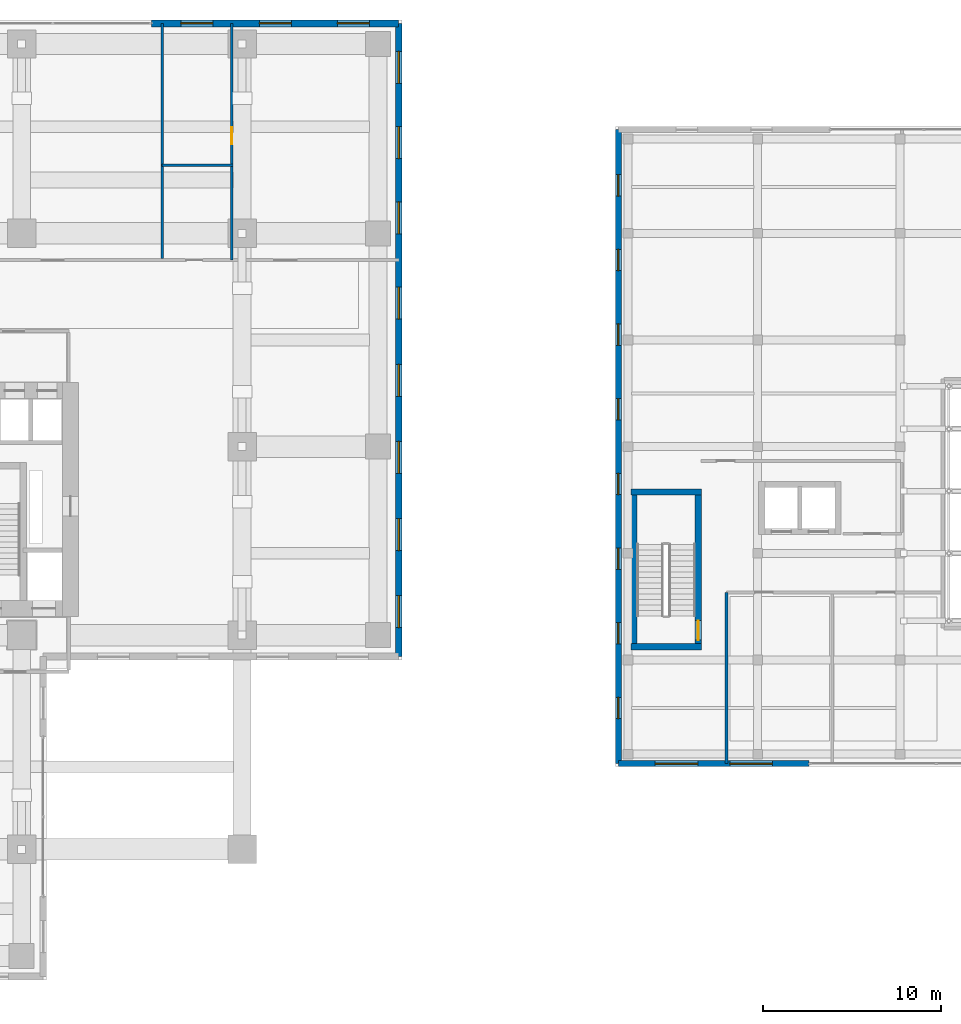
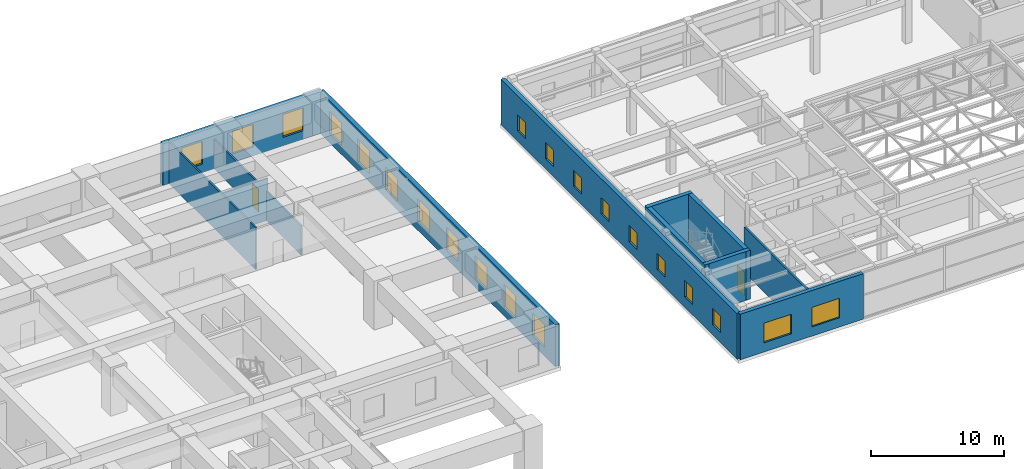
# One storey, part 27 of 33: 21 windows, 13 walls, 2 doors, 23 openings.
"""IFC4 building model written with IfcOpenShell, lengths in metres."""

from ifc_helpers import new_model, si_unit, direction, frame, frame_2d, origin, place, context, subcontext, project, spatial, rectangle, extrude, source, transform, mapped, material, layer, layer_set, type_object, element, fill, save


model = new_model("IFC4")

# Units and contexts
model_context = context("Model", 3, precision=1e-05, world=origin(), true_north=direction((0.0, 1.0)))
body_context = subcontext(model_context, "Body", "Model", "MODEL_VIEW")
ifc_project = project(units=[si_unit("LENGTHUNIT", "METRE"), si_unit("AREAUNIT", "SQUARE_METRE"), si_unit("VOLUMEUNIT", "CUBIC_METRE"), si_unit("PLANEANGLEUNIT", "RADIAN"), si_unit("MASSUNIT", "GRAM", prefix="KILO")], contexts=[model_context])

# Site, building, storey
site_placement = place(None, origin())
site = spatial("IfcSite", under=ifc_project, at=site_placement, CompositionType="ELEMENT")
building_placement = place(site_placement, origin())
building = spatial("IfcBuilding", under=site, at=building_placement, Name="Khoralis Quay Care Tower", CompositionType="ELEMENT")
storey_placement = place(building_placement, frame((0.0, 0.0, 18.0)))
storey = spatial("IfcBuildingStorey", under=building, at=storey_placement, Name="L04", CompositionType="ELEMENT", Elevation=18.0)

# Wall
ifc_material_1 = material(Name="Gypsum plasterboard on acoustic metal stud")
ifc_layer_1 = layer(ifc_material_1, 0.1650390625)
ifc_layer_set_1 = layer_set([ifc_layer_1], Name="Gypsum plasterboard on acoustic metal stud")
wall_type_1 = type_object("IfcWallType", Name="WL-CORR-165", PredefinedType="PARTITIONING", material=ifc_layer_set_1)
wall_1_placement = place(storey_placement, frame((74.25, 6.18505859375, 0.0), z_axis=(0.0, 0.0, 1.0), x_axis=(0.0, 1.0, 0.0)))
element("IfcWall", 1, at=wall_1_placement, inside=storey, type_object=wall_type_1, Name="L04 School Stair Vestibule East Wall", PredefinedType="PARTITIONING", context=body_context, shape_type="SweptSolid", body=[
    extrude(rectangle(XDim=9.614990234375, YDim=0.1650390625, at=frame_2d((4.8076171875, 0.0))), origin(), (0.0, 0.0, 1.0), 4.18994140625),
])

# Wall, openings, windows
ifc_material_2 = material(Name="Precast concrete C45/55", Category="concrete")
ifc_layer_2 = layer(ifc_material_2, 0.3798828125)
ifc_layer_set_2 = layer_set([ifc_layer_2], Name="Precast concrete C45/55")
wall_type_2 = type_object("IfcWallType", Name="WL-EXT-POD-380", PredefinedType="SOLIDWALL", material=ifc_layer_set_2)
wall_2_placement = place(storey_placement, frame((55.81005859375, 12.18994140625, 0.0), z_axis=(0.0, 0.0, 1.0), x_axis=(0.0, 1.0, 0.0)))
wall_2 = element("IfcWall", 2, at=wall_2_placement, inside=storey, type_object=wall_type_2, Name="L04 External Facade Wall WL-POD-L04-E3", PredefinedType="SOLIDWALL", context=body_context, shape_type="SweptSolid", body=[
    extrude(rectangle(XDim=35.6201171875, YDim=0.3798828125, at=frame_2d((17.81005859375, 0.0))), origin(), (0.0, 0.0, 1.0), 3.85009765625),
])
opening_1_placement = place(wall_2_placement, frame((1.62890625, 0.0, 0.800048828125)))
opening_1 = element("IfcOpeningElement", 3, at=opening_1_placement, cuts=wall_2, Name="Opening W2", PredefinedType="OPENING", context=body_context, shape_type="SweptSolid", body=[
    extrude(rectangle(XDim=1.800048828125, YDim=2.10009765625, at=frame_2d((0.89990234375, 1.050048828125))), frame((0.0, 0.199951171875, 0.0), z_axis=(0.0, -1.0, 0.0), x_axis=(1.0, 0.0, 0.0)), (0.0, 0.0, 1.0), 0.39990234375),
])
opening_2_placement = place(wall_2_placement, frame((5.967041015625, 0.0, 0.800048828125)))
opening_2 = element("IfcOpeningElement", 4, at=opening_2_placement, cuts=wall_2, Name="Opening W2", PredefinedType="OPENING", context=body_context, shape_type="SweptSolid", body=[
    extrude(rectangle(XDim=1.800048828125, YDim=2.10009765625, at=frame_2d((0.89990234375, 1.050048828125))), frame((0.0, 0.199951171875, 0.0), z_axis=(0.0, -1.0, 0.0), x_axis=(1.0, 0.0, 0.0)), (0.0, 0.0, 1.0), 0.39990234375),
])
opening_3_placement = place(wall_2_placement, frame((10.304931640625, 0.0, 0.800048828125)))
opening_3 = element("IfcOpeningElement", 5, at=opening_3_placement, cuts=wall_2, Name="Opening W2", PredefinedType="OPENING", context=body_context, shape_type="SweptSolid", body=[
    extrude(rectangle(XDim=1.800048828125, YDim=2.10009765625, at=frame_2d((0.89990234375, 1.050048828125))), frame((0.0, 0.199951171875, 0.0), z_axis=(0.0, -1.0, 0.0), x_axis=(1.0, 0.0, 0.0)), (0.0, 0.0, 1.0), 0.39990234375),
])
opening_4_placement = place(wall_2_placement, frame((14.64306640625, 0.0, 0.800048828125)))
opening_4 = element("IfcOpeningElement", 6, at=opening_4_placement, cuts=wall_2, Name="Opening W2", PredefinedType="OPENING", context=body_context, shape_type="SweptSolid", body=[
    extrude(rectangle(XDim=1.800048828125, YDim=2.10009765625, at=frame_2d((0.89990234375, 1.050048828125))), frame((0.0, 0.199951171875, 0.0), z_axis=(0.0, -1.0, 0.0), x_axis=(1.0, 0.0, 0.0)), (0.0, 0.0, 1.0), 0.39990234375),
])
opening_5_placement = place(wall_2_placement, frame((18.98095703125, 0.0, 0.800048828125)))
opening_5 = element("IfcOpeningElement", 7, at=opening_5_placement, cuts=wall_2, Name="Opening W2", PredefinedType="OPENING", context=body_context, shape_type="SweptSolid", body=[
    extrude(rectangle(XDim=1.800048828125, YDim=2.10009765625, at=frame_2d((0.89990234375, 1.050048828125))), frame((0.0, 0.199951171875, 0.0), z_axis=(0.0, -1.0, 0.0), x_axis=(1.0, 0.0, 0.0)), (0.0, 0.0, 1.0), 0.39990234375),
])
opening_6_placement = place(wall_2_placement, frame((23.784912109375, 0.0, 0.800048828125)))
opening_6 = element("IfcOpeningElement", 8, at=opening_6_placement, cuts=wall_2, Name="Opening W2", PredefinedType="OPENING", context=body_context, shape_type="SweptSolid", body=[
    extrude(rectangle(XDim=1.800048828125, YDim=2.10009765625, at=frame_2d((0.89990234375, 1.050048828125))), frame((0.0, 0.199951171875, 0.0), z_axis=(0.0, -1.0, 0.0), x_axis=(1.0, 0.0, 0.0)), (0.0, 0.0, 1.0), 0.39990234375),
])
opening_7_placement = place(wall_2_placement, frame((28.014892578125, 0.0, 0.800048828125)))
opening_7 = element("IfcOpeningElement", 9, at=opening_7_placement, cuts=wall_2, Name="Opening W2", PredefinedType="OPENING", context=body_context, shape_type="SweptSolid", body=[
    extrude(rectangle(XDim=1.800048828125, YDim=2.10009765625, at=frame_2d((0.89990234375, 1.050048828125))), frame((0.0, 0.199951171875, 0.0), z_axis=(0.0, -1.0, 0.0), x_axis=(1.0, 0.0, 0.0)), (0.0, 0.0, 1.0), 0.39990234375),
])
opening_8_placement = place(wall_2_placement, frame((32.2451171875, 0.0, 0.800048828125)))
opening_8 = element("IfcOpeningElement", 10, at=opening_8_placement, cuts=wall_2, Name="Opening W2", PredefinedType="OPENING", context=body_context, shape_type="SweptSolid", body=[
    extrude(rectangle(XDim=1.800048828125, YDim=2.10009765625, at=frame_2d((0.89990234375, 1.050048828125))), frame((0.0, 0.199951171875, 0.0), z_axis=(0.0, -1.0, 0.0), x_axis=(1.0, 0.0, 0.0)), (0.0, 0.0, 1.0), 0.39990234375),
])
ifc_material_3 = material(Name="Low-E solar-control double glazing", Category="glass")
window_type_1 = type_object("IfcWindowType", Name="WN-POD-1800X2100", PartitioningType="SINGLE_PANEL", PredefinedType="WINDOW", material=ifc_material_3)
shared_shape_1 = source(origin(), body_context, "Body", "SweptSolid", [
    extrude(rectangle(XDim=1.800048828125, YDim=2.10009765625, at=frame_2d((0.89990234375, 1.050048828125))), frame((0.0, 0.030029296875, 0.0), z_axis=(0.0, -1.0, 0.0), x_axis=(1.0, 0.0, 0.0)), (0.0, 0.0, 1.0), 0.06005859375),
])
window_1_placement = place(opening_1_placement, origin())
window_1 = element("IfcWindow", 11, at=window_1_placement, inside=storey, type_object=window_type_1, Name="WN-POD-L04-E3 Facade Window 01", OverallHeight=2.10009765625, OverallWidth=1.800048828125, PartitioningType="SINGLE_PANEL", PredefinedType="WINDOW", context=body_context, shape_type="MappedRepresentation", body=[
    mapped(shared_shape_1, transform((0.0, 0.0, 0.0), scale=1.0)),
])
fill(opening_1, window_1)
window_2_placement = place(opening_2_placement, origin())
window_2 = element("IfcWindow", 12, at=window_2_placement, inside=storey, type_object=window_type_1, Name="WN-POD-L04-E3 Facade Window 02", OverallHeight=2.10009765625, OverallWidth=1.800048828125, PartitioningType="SINGLE_PANEL", PredefinedType="WINDOW", context=body_context, shape_type="MappedRepresentation", body=[
    mapped(shared_shape_1, transform((0.0, 0.0, 0.0), scale=1.0)),
])
fill(opening_2, window_2)
window_3_placement = place(opening_3_placement, origin())
window_3 = element("IfcWindow", 13, at=window_3_placement, inside=storey, type_object=window_type_1, Name="WN-POD-L04-E3 Facade Window 03", OverallHeight=2.10009765625, OverallWidth=1.800048828125, PartitioningType="SINGLE_PANEL", PredefinedType="WINDOW", context=body_context, shape_type="MappedRepresentation", body=[
    mapped(shared_shape_1, transform((0.0, 0.0, 0.0), scale=1.0)),
])
fill(opening_3, window_3)
window_4_placement = place(opening_4_placement, origin())
window_4 = element("IfcWindow", 14, at=window_4_placement, inside=storey, type_object=window_type_1, Name="WN-POD-L04-E3 Facade Window 04", OverallHeight=2.10009765625, OverallWidth=1.800048828125, PartitioningType="SINGLE_PANEL", PredefinedType="WINDOW", context=body_context, shape_type="MappedRepresentation", body=[
    mapped(shared_shape_1, transform((0.0, 0.0, 0.0), scale=1.0)),
])
fill(opening_4, window_4)
window_5_placement = place(opening_5_placement, origin())
window_5 = element("IfcWindow", 15, at=window_5_placement, inside=storey, type_object=window_type_1, Name="WN-POD-L04-E3 Facade Window 05", OverallHeight=2.10009765625, OverallWidth=1.800048828125, PartitioningType="SINGLE_PANEL", PredefinedType="WINDOW", context=body_context, shape_type="MappedRepresentation", body=[
    mapped(shared_shape_1, transform((0.0, 0.0, 0.0), scale=1.0)),
])
fill(opening_5, window_5)
window_6_placement = place(opening_6_placement, origin())
window_6 = element("IfcWindow", 16, at=window_6_placement, inside=storey, type_object=window_type_1, Name="WN-POD-L04-E3 Facade Window 06", OverallHeight=2.10009765625, OverallWidth=1.800048828125, PartitioningType="SINGLE_PANEL", PredefinedType="WINDOW", context=body_context, shape_type="MappedRepresentation", body=[
    mapped(shared_shape_1, transform((0.0, 0.0, 0.0), scale=1.0)),
])
fill(opening_6, window_6)
window_7_placement = place(opening_7_placement, origin())
window_7 = element("IfcWindow", 17, at=window_7_placement, inside=storey, type_object=window_type_1, Name="WN-POD-L04-E3 Facade Window 07", OverallHeight=2.10009765625, OverallWidth=1.800048828125, PartitioningType="SINGLE_PANEL", PredefinedType="WINDOW", context=body_context, shape_type="MappedRepresentation", body=[
    mapped(shared_shape_1, transform((0.0, 0.0, 0.0), scale=1.0)),
])
fill(opening_7, window_7)
window_8_placement = place(opening_8_placement, origin())
window_8 = element("IfcWindow", 18, at=window_8_placement, inside=storey, type_object=window_type_1, Name="WN-POD-L04-E3 Facade Window 08", OverallHeight=2.10009765625, OverallWidth=1.800048828125, PartitioningType="SINGLE_PANEL", PredefinedType="WINDOW", context=body_context, shape_type="MappedRepresentation", body=[
    mapped(shared_shape_1, transform((0.0, 0.0, 0.0), scale=1.0)),
])
fill(opening_8, window_8)

wall_3_placement = place(storey_placement, frame((55.81005859375, 47.81005859375, 0.0), z_axis=(0.0, 0.0, 1.0), x_axis=(-1.0, 0.0, 0.0)))
wall_3 = element("IfcWall", 19, at=wall_3_placement, inside=storey, type_object=wall_type_2, Name="L04 External Facade Wall WL-POD-L04-E4A", PredefinedType="SOLIDWALL", context=body_context, shape_type="SweptSolid", body=[
    extrude(rectangle(XDim=13.905029296875, YDim=0.3798828125, at=frame_2d((6.95263671875, 0.0))), origin(), (0.0, 0.0, 1.0), 3.85009765625),
])
opening_9_placement = place(wall_3_placement, frame((1.652587890625, 0.0, 0.800048828125)))
opening_9 = element("IfcOpeningElement", 20, at=opening_9_placement, cuts=wall_3, Name="Opening W2", PredefinedType="OPENING", context=body_context, shape_type="SweptSolid", body=[
    extrude(rectangle(XDim=1.800048828125, YDim=2.10009765625, at=frame_2d((0.89990234375, 1.050048828125))), frame((0.0, 0.199951171875, 0.0), z_axis=(0.0, -1.0, 0.0), x_axis=(1.0, 0.0, 0.0)), (0.0, 0.0, 1.0), 0.39990234375),
])
opening_10_placement = place(wall_3_placement, frame((6.03759765625, 0.0, 0.800048828125)))
opening_10 = element("IfcOpeningElement", 21, at=opening_10_placement, cuts=wall_3, Name="Opening W2", PredefinedType="OPENING", context=body_context, shape_type="SweptSolid", body=[
    extrude(rectangle(XDim=1.800048828125, YDim=2.10009765625, at=frame_2d((0.89990234375, 1.050048828125))), frame((0.0, 0.199951171875, 0.0), z_axis=(0.0, -1.0, 0.0), x_axis=(1.0, 0.0, 0.0)), (0.0, 0.0, 1.0), 0.39990234375),
])
opening_11_placement = place(wall_3_placement, frame((10.449951171875, 0.0, 0.800048828125)))
opening_11 = element("IfcOpeningElement", 22, at=opening_11_placement, cuts=wall_3, Name="Opening W2", PredefinedType="OPENING", context=body_context, shape_type="SweptSolid", body=[
    extrude(rectangle(XDim=1.800048828125, YDim=2.10009765625, at=frame_2d((0.89990234375, 1.050048828125))), frame((0.0, 0.199951171875, 0.0), z_axis=(0.0, -1.0, 0.0), x_axis=(1.0, 0.0, 0.0)), (0.0, 0.0, 1.0), 0.39990234375),
])
window_9_placement = place(opening_9_placement, origin())
window_9 = element("IfcWindow", 23, at=window_9_placement, inside=storey, type_object=window_type_1, Name="WN-POD-L04-4A Facade Window 01", OverallHeight=2.10009765625, OverallWidth=1.800048828125, PartitioningType="SINGLE_PANEL", PredefinedType="WINDOW", context=body_context, shape_type="MappedRepresentation", body=[
    mapped(shared_shape_1, transform((0.0, 0.0, 0.0), scale=1.0)),
])
fill(opening_9, window_9)
window_10_placement = place(opening_10_placement, origin())
window_10 = element("IfcWindow", 24, at=window_10_placement, inside=storey, type_object=window_type_1, Name="WN-POD-L04-4A Facade Window 02", OverallHeight=2.10009765625, OverallWidth=1.800048828125, PartitioningType="SINGLE_PANEL", PredefinedType="WINDOW", context=body_context, shape_type="MappedRepresentation", body=[
    mapped(shared_shape_1, transform((0.0, 0.0, 0.0), scale=1.0)),
])
fill(opening_10, window_10)
window_11_placement = place(opening_11_placement, origin())
window_11 = element("IfcWindow", 25, at=window_11_placement, inside=storey, type_object=window_type_1, Name="WN-POD-L04-4A Facade Window 03", OverallHeight=2.10009765625, OverallWidth=1.800048828125, PartitioningType="SINGLE_PANEL", PredefinedType="WINDOW", context=body_context, shape_type="MappedRepresentation", body=[
    mapped(shared_shape_1, transform((0.0, 0.0, 0.0), scale=1.0)),
])
fill(opening_11, window_11)

ifc_material_4 = material(Name="Precast concrete C40/50", Category="concrete")
ifc_layer_3 = layer(ifc_material_4, 0.340087890625)
ifc_layer_set_3 = layer_set([ifc_layer_3], Name="Precast concrete C40/50")
wall_type_3 = type_object("IfcWallType", Name="WL-EXT-SCH-340", PredefinedType="SOLIDWALL", material=ifc_layer_set_3)
wall_4_placement = place(storey_placement, frame((68.169921875, 6.169921875, 0.0), z_axis=(0.0, 0.0, 1.0), x_axis=(1.0, 0.0, 0.0)))
wall_4 = element("IfcWall", 26, at=wall_4_placement, inside=storey, type_object=wall_type_3, Name="L04 External Facade Wall WL-SCH-L04-E0A", PredefinedType="SOLIDWALL", context=body_context, shape_type="SweptSolid", body=[
    extrude(rectangle(XDim=10.72802734375, YDim=0.340087890625, at=frame_2d((5.364013671875, 0.0))), origin(), (0.0, 0.0, 1.0), 4.199951171875),
])
opening_12_placement = place(wall_4_placement, frame((2.06396484375, 0.0, 0.85009765625)))
opening_12 = element("IfcOpeningElement", 27, at=opening_12_placement, cuts=wall_4, Name="Opening W4", PredefinedType="OPENING", context=body_context, shape_type="SweptSolid", body=[
    extrude(rectangle(XDim=2.39990234375, YDim=1.800048828125, at=frame_2d((1.199951171875, 0.89990234375))), frame((0.0, 0.18017578125, 0.0), z_axis=(0.0, -1.0, 0.0), x_axis=(1.0, 0.0, 0.0)), (0.0, 0.0, 1.0), 0.360107421875),
])
opening_13_placement = place(wall_4_placement, frame((6.263916015625, 0.0, 0.85009765625)))
opening_13 = element("IfcOpeningElement", 28, at=opening_13_placement, cuts=wall_4, Name="Opening W4", PredefinedType="OPENING", context=body_context, shape_type="SweptSolid", body=[
    extrude(rectangle(XDim=2.39990234375, YDim=1.800048828125, at=frame_2d((1.199951171875, 0.89990234375))), frame((0.0, 0.18017578125, 0.0), z_axis=(0.0, -1.0, 0.0), x_axis=(1.0, 0.0, 0.0)), (0.0, 0.0, 1.0), 0.360107421875),
])
window_type_2 = type_object("IfcWindowType", Name="WN-SCH-2400X1800", PartitioningType="SINGLE_PANEL", PredefinedType="WINDOW", material=ifc_material_3)
shared_shape_2 = source(origin(), body_context, "Body", "SweptSolid", [
    extrude(rectangle(XDim=2.39990234375, YDim=1.800048828125, at=frame_2d((1.199951171875, 0.89990234375))), frame((0.0, 0.030029296875, 0.0), z_axis=(0.0, -1.0, 0.0), x_axis=(1.0, 0.0, 0.0)), (0.0, 0.0, 1.0), 0.06005859375),
])
window_12_placement = place(opening_12_placement, origin())
window_12 = element("IfcWindow", 29, at=window_12_placement, inside=storey, type_object=window_type_2, Name="WN-SCH-L04-0A Classroom Window 01", OverallHeight=1.800048828125, OverallWidth=2.39990234375, PartitioningType="SINGLE_PANEL", PredefinedType="WINDOW", context=body_context, shape_type="MappedRepresentation", body=[
    mapped(shared_shape_2, transform((0.0, 0.0, 0.0), scale=1.0)),
])
fill(opening_12, window_12)
window_13_placement = place(opening_13_placement, origin())
window_13 = element("IfcWindow", 30, at=window_13_placement, inside=storey, type_object=window_type_2, Name="WN-SCH-L04-0A Classroom Window 02", OverallHeight=1.800048828125, OverallWidth=2.39990234375, PartitioningType="SINGLE_PANEL", PredefinedType="WINDOW", context=body_context, shape_type="MappedRepresentation", body=[
    mapped(shared_shape_2, transform((0.0, 0.0, 0.0), scale=1.0)),
])
fill(opening_13, window_13)

wall_5_placement = place(storey_placement, frame((68.169921875, 41.830078125, 0.0), z_axis=(0.0, 0.0, 1.0), x_axis=(0.0, -1.0, 0.0)))
wall_5 = element("IfcWall", 31, at=wall_5_placement, inside=storey, type_object=wall_type_3, Name="L04 External Facade Wall WL-SCH-L04-E4", PredefinedType="SOLIDWALL", context=body_context, shape_type="SweptSolid", body=[
    extrude(rectangle(XDim=35.66015625, YDim=0.340087890625, at=frame_2d((17.830078125, 0.0))), origin(), (0.0, 0.0, 1.0), 4.199951171875),
])
opening_14_placement = place(wall_5_placement, frame((2.530029296875, 0.0, 0.949951171875)))
opening_14 = element("IfcOpeningElement", 32, at=opening_14_placement, cuts=wall_5, Name="Opening W6", PredefinedType="OPENING", context=body_context, shape_type="SweptSolid", body=[
    extrude(rectangle(XDim=1.199951171875, YDim=1.5, at=frame_2d((0.60009765625, 0.75))), frame((0.0, 0.18017578125, 0.0), z_axis=(0.0, -1.0, 0.0), x_axis=(1.0, 0.0, 0.0)), (0.0, 0.0, 1.0), 0.360107421875),
])
opening_15_placement = place(wall_5_placement, frame((6.72998046875, 0.0, 0.949951171875)))
opening_15 = element("IfcOpeningElement", 33, at=opening_15_placement, cuts=wall_5, Name="Opening W6", PredefinedType="OPENING", context=body_context, shape_type="SweptSolid", body=[
    extrude(rectangle(XDim=1.199951171875, YDim=1.5, at=frame_2d((0.60009765625, 0.75))), frame((0.0, 0.18017578125, 0.0), z_axis=(0.0, -1.0, 0.0), x_axis=(1.0, 0.0, 0.0)), (0.0, 0.0, 1.0), 0.360107421875),
])
opening_16_placement = place(wall_5_placement, frame((10.929931640625, 0.0, 0.949951171875)))
opening_16 = element("IfcOpeningElement", 34, at=opening_16_placement, cuts=wall_5, Name="Opening W6", PredefinedType="OPENING", context=body_context, shape_type="SweptSolid", body=[
    extrude(rectangle(XDim=1.199951171875, YDim=1.5, at=frame_2d((0.60009765625, 0.75))), frame((0.0, 0.18017578125, 0.0), z_axis=(0.0, -1.0, 0.0), x_axis=(1.0, 0.0, 0.0)), (0.0, 0.0, 1.0), 0.360107421875),
])
opening_17_placement = place(wall_5_placement, frame((15.1298828125, 0.0, 0.949951171875)))
opening_17 = element("IfcOpeningElement", 35, at=opening_17_placement, cuts=wall_5, Name="Opening W6", PredefinedType="OPENING", context=body_context, shape_type="SweptSolid", body=[
    extrude(rectangle(XDim=1.199951171875, YDim=1.5, at=frame_2d((0.60009765625, 0.75))), frame((0.0, 0.18017578125, 0.0), z_axis=(0.0, -1.0, 0.0), x_axis=(1.0, 0.0, 0.0)), (0.0, 0.0, 1.0), 0.360107421875),
])
opening_18_placement = place(wall_5_placement, frame((19.330078125, 0.0, 0.949951171875)))
opening_18 = element("IfcOpeningElement", 36, at=opening_18_placement, cuts=wall_5, Name="Opening W6", PredefinedType="OPENING", context=body_context, shape_type="SweptSolid", body=[
    extrude(rectangle(XDim=1.199951171875, YDim=1.5, at=frame_2d((0.60009765625, 0.75))), frame((0.0, 0.18017578125, 0.0), z_axis=(0.0, -1.0, 0.0), x_axis=(1.0, 0.0, 0.0)), (0.0, 0.0, 1.0), 0.360107421875),
])
opening_19_placement = place(wall_5_placement, frame((23.530029296875, 0.0, 0.949951171875)))
opening_19 = element("IfcOpeningElement", 37, at=opening_19_placement, cuts=wall_5, Name="Opening W6", PredefinedType="OPENING", context=body_context, shape_type="SweptSolid", body=[
    extrude(rectangle(XDim=1.199951171875, YDim=1.5, at=frame_2d((0.60009765625, 0.75))), frame((0.0, 0.18017578125, 0.0), z_axis=(0.0, -1.0, 0.0), x_axis=(1.0, 0.0, 0.0)), (0.0, 0.0, 1.0), 0.360107421875),
])
opening_20_placement = place(wall_5_placement, frame((27.72998046875, 0.0, 0.949951171875)))
opening_20 = element("IfcOpeningElement", 38, at=opening_20_placement, cuts=wall_5, Name="Opening W6", PredefinedType="OPENING", context=body_context, shape_type="SweptSolid", body=[
    extrude(rectangle(XDim=1.199951171875, YDim=1.5, at=frame_2d((0.60009765625, 0.75))), frame((0.0, 0.18017578125, 0.0), z_axis=(0.0, -1.0, 0.0), x_axis=(1.0, 0.0, 0.0)), (0.0, 0.0, 1.0), 0.360107421875),
])
opening_21_placement = place(wall_5_placement, frame((31.929931640625, 0.0, 0.949951171875)))
opening_21 = element("IfcOpeningElement", 39, at=opening_21_placement, cuts=wall_5, Name="Opening W6", PredefinedType="OPENING", context=body_context, shape_type="SweptSolid", body=[
    extrude(rectangle(XDim=1.199951171875, YDim=1.5, at=frame_2d((0.60009765625, 0.75))), frame((0.0, 0.18017578125, 0.0), z_axis=(0.0, -1.0, 0.0), x_axis=(1.0, 0.0, 0.0)), (0.0, 0.0, 1.0), 0.360107421875),
])
window_type_3 = type_object("IfcWindowType", Name="WN-SCH-1200X1500", PartitioningType="SINGLE_PANEL", PredefinedType="WINDOW", material=ifc_material_3)
shared_shape_3 = source(origin(), body_context, "Body", "SweptSolid", [
    extrude(rectangle(XDim=1.199951171875, YDim=1.5, at=frame_2d((0.60009765625, 0.75))), frame((0.0, 0.030029296875, 0.0), z_axis=(0.0, -1.0, 0.0), x_axis=(1.0, 0.0, 0.0)), (0.0, 0.0, 1.0), 0.06005859375),
])
window_14_placement = place(opening_14_placement, origin())
window_14 = element("IfcWindow", 40, at=window_14_placement, inside=storey, type_object=window_type_3, Name="WN-SCH-L04-E4 Classroom Window 01", OverallHeight=1.5, OverallWidth=1.199951171875, PartitioningType="SINGLE_PANEL", PredefinedType="WINDOW", context=body_context, shape_type="MappedRepresentation", body=[
    mapped(shared_shape_3, transform((0.0, 0.0, 0.0), scale=1.0)),
])
fill(opening_14, window_14)
window_15_placement = place(opening_15_placement, origin())
window_15 = element("IfcWindow", 41, at=window_15_placement, inside=storey, type_object=window_type_3, Name="WN-SCH-L04-E4 Classroom Window 02", OverallHeight=1.5, OverallWidth=1.199951171875, PartitioningType="SINGLE_PANEL", PredefinedType="WINDOW", context=body_context, shape_type="MappedRepresentation", body=[
    mapped(shared_shape_3, transform((0.0, 0.0, 0.0), scale=1.0)),
])
fill(opening_15, window_15)
window_16_placement = place(opening_16_placement, origin())
window_16 = element("IfcWindow", 42, at=window_16_placement, inside=storey, type_object=window_type_3, Name="WN-SCH-L04-E4 Classroom Window 03", OverallHeight=1.5, OverallWidth=1.199951171875, PartitioningType="SINGLE_PANEL", PredefinedType="WINDOW", context=body_context, shape_type="MappedRepresentation", body=[
    mapped(shared_shape_3, transform((0.0, 0.0, 0.0), scale=1.0)),
])
fill(opening_16, window_16)
window_17_placement = place(opening_17_placement, origin())
window_17 = element("IfcWindow", 43, at=window_17_placement, inside=storey, type_object=window_type_3, Name="WN-SCH-L04-E4 Classroom Window 04", OverallHeight=1.5, OverallWidth=1.199951171875, PartitioningType="SINGLE_PANEL", PredefinedType="WINDOW", context=body_context, shape_type="MappedRepresentation", body=[
    mapped(shared_shape_3, transform((0.0, 0.0, 0.0), scale=1.0)),
])
fill(opening_17, window_17)
window_18_placement = place(opening_18_placement, origin())
window_18 = element("IfcWindow", 44, at=window_18_placement, inside=storey, type_object=window_type_3, Name="WN-SCH-L04-E4 Classroom Window 05", OverallHeight=1.5, OverallWidth=1.199951171875, PartitioningType="SINGLE_PANEL", PredefinedType="WINDOW", context=body_context, shape_type="MappedRepresentation", body=[
    mapped(shared_shape_3, transform((0.0, 0.0, 0.0), scale=1.0)),
])
fill(opening_18, window_18)
window_19_placement = place(opening_19_placement, origin())
window_19 = element("IfcWindow", 45, at=window_19_placement, inside=storey, type_object=window_type_3, Name="WN-SCH-L04-E4 Classroom Window 06", OverallHeight=1.5, OverallWidth=1.199951171875, PartitioningType="SINGLE_PANEL", PredefinedType="WINDOW", context=body_context, shape_type="MappedRepresentation", body=[
    mapped(shared_shape_3, transform((0.0, 0.0, 0.0), scale=1.0)),
])
fill(opening_19, window_19)
window_20_placement = place(opening_20_placement, origin())
window_20 = element("IfcWindow", 46, at=window_20_placement, inside=storey, type_object=window_type_3, Name="WN-SCH-L04-E4 Classroom Window 07", OverallHeight=1.5, OverallWidth=1.199951171875, PartitioningType="SINGLE_PANEL", PredefinedType="WINDOW", context=body_context, shape_type="MappedRepresentation", body=[
    mapped(shared_shape_3, transform((0.0, 0.0, 0.0), scale=1.0)),
])
fill(opening_20, window_20)
window_21_placement = place(opening_21_placement, origin())
window_21 = element("IfcWindow", 47, at=window_21_placement, inside=storey, type_object=window_type_3, Name="WN-SCH-L04-E4 Classroom Window 08", OverallHeight=1.5, OverallWidth=1.199951171875, PartitioningType="SINGLE_PANEL", PredefinedType="WINDOW", context=body_context, shape_type="MappedRepresentation", body=[
    mapped(shared_shape_3, transform((0.0, 0.0, 0.0), scale=1.0)),
])
fill(opening_21, window_21)

# Walls
ifc_material_5 = material(Name="Moisture-resistant gypsum and ceramic tile")
ifc_layer_4 = layer(ifc_material_5, 0.280029296875)
ifc_layer_set_4 = layer_set([ifc_layer_4], Name="Moisture-resistant gypsum and ceramic tile")
wall_type_4 = type_object("IfcWallType", Name="WL-PLUMB-280", PredefinedType="PLUMBINGWALL", material=ifc_layer_set_4)
wall_6_placement = place(storey_placement, frame((46.419921875, 34.5, 0.0), z_axis=(0.0, 0.0, 1.0), x_axis=(0.0, 1.0, 0.0)))
element("IfcWall", 48, at=wall_6_placement, inside=storey, type_object=wall_type_4, Name="L04 Podium WC East Partition", PredefinedType="PLUMBINGWALL", context=body_context, shape_type="SweptSolid", body=[
    extrude(rectangle(XDim=5.320068359375, YDim=0.139892578125, at=frame_2d((2.66015625, 0.0))), origin(), (0.0, 0.0, 1.0), 2.719970703125),
])
wall_7_placement = place(storey_placement, frame((42.5, 39.820068359375, 0.0), z_axis=(0.0, 0.0, 1.0), x_axis=(1.0, 0.0, 0.0)))
element("IfcWall", 49, at=wall_7_placement, inside=storey, type_object=wall_type_4, Name="L04 Podium WC North Partition", PredefinedType="PLUMBINGWALL", context=body_context, shape_type="SweptSolid", body=[
    extrude(rectangle(XDim=3.989990234375, YDim=0.139892578125, at=frame_2d((1.9951171875, 0.0))), origin(), (0.0, 0.0, 1.0), 3.85009765625),
])

# Wall, opening, door
ifc_material_6 = material(Name="Concrete C40/50", Category="concrete")
ifc_layer_5 = layer(ifc_material_6, 0.35009765625)
ifc_layer_set_5 = layer_set([ifc_layer_5], Name="Concrete C40/50")
wall_type_5 = type_object("IfcWallType", Name="WL-SC-CORE-350", PredefinedType="SHEAR", material=ifc_layer_set_5)
wall_8_placement = place(storey_placement, frame((72.655029296875, 12.570068359375, 0.0), z_axis=(0.0, 0.0, 1.0), x_axis=(0.0, 1.0, 0.0)))
wall_8 = element("IfcWall", 50, at=wall_8_placement, inside=storey, type_object=wall_type_5, Name="L04 School Stair ST-S1 East Shear Wall", PredefinedType="SHEAR", context=body_context, shape_type="SweptSolid", body=[
    extrude(rectangle(XDim=9.059814453125, YDim=0.35009765625, at=frame_2d((4.52978515625, 0.0))), origin(), (0.0, 0.0, 1.0), 4.5),
])
opening_22_placement = place(wall_8_placement, frame((0.550048828125, 0.0, 0.0)))
opening_22 = element("IfcOpeningElement", 51, at=opening_22_placement, cuts=wall_8, Name="Opening SD1", PredefinedType="OPENING", context=body_context, shape_type="SweptSolid", body=[
    extrude(rectangle(XDim=1.10009765625, YDim=2.199951171875, at=frame_2d((0.550048828125, 1.10009765625))), frame((0.0, 0.18505859375, 0.0), z_axis=(0.0, -1.0, 0.0), x_axis=(1.0, 0.0, 0.0)), (0.0, 0.0, 1.0), 0.3701171875),
])
ifc_material_7 = material(Name="Fire-rated painted steel", Category="steel")
door_type_1 = type_object("IfcDoorType", Name="DR-STAIR-1100X2200", OperationType="NOTDEFINED", PredefinedType="DOOR", material=ifc_material_7)
shared_shape_4 = source(origin(), body_context, "Body", "SweptSolid", [
    extrude(rectangle(XDim=1.10009765625, YDim=2.199951171875, at=frame_2d((0.550048828125, 1.10009765625))), frame((0.0, 0.02490234375, 0.0), z_axis=(0.0, -1.0, 0.0), x_axis=(1.0, 0.0, 0.0)), (0.0, 0.0, 1.0), 0.050048828125),
])
door_1_placement = place(opening_22_placement, origin())
door_1 = element("IfcDoor", 52, at=door_1_placement, inside=storey, type_object=door_type_1, Name="L04 School Stair ST-S1 Door", OperationType="SINGLE_SWING_LEFT", OverallHeight=2.199951171875, OverallWidth=1.10009765625, PredefinedType="DOOR", context=body_context, shape_type="MappedRepresentation", body=[
    mapped(shared_shape_4, transform((0.0, 0.0, 0.0), scale=1.0)),
])
fill(opening_22, door_1)

# Walls
for number, where, z_axis, x_axis, name in (
    (53, (68.8701171875, 12.7451171875, 0.0), (0.0, 0.0, 1.0), (1.0, 0.0, 0.0), "L04 School Stair ST-S1 South Shear Wall"),
    (54, (68.8701171875, 21.455078125, 0.0), (0.0, 0.0, 1.0), (1.0, 0.0, 0.0), "L04 School Stair ST-S1 North Shear Wall"),
):
    element("IfcWall", number, at=place(storey_placement, frame(where, z_axis=z_axis, x_axis=x_axis)), inside=storey, type_object=wall_type_5, Name=name, PredefinedType="SHEAR", context=body_context, shape_type="SweptSolid", body=[
        extrude(rectangle(XDim=3.9599609375, YDim=0.35009765625, at=frame_2d((1.97998046875, 0.0))), origin(), (0.0, 0.0, 1.0), 4.5),
    ])
wall_9_placement = place(storey_placement, frame((69.044921875, 12.570068359375, 0.0), z_axis=(0.0, 0.0, 1.0), x_axis=(0.0, 1.0, 0.0)))
element("IfcWall", 55, at=wall_9_placement, inside=storey, type_object=wall_type_5, Name="L04 School Stair ST-S1 West Shear Wall", PredefinedType="SHEAR", context=body_context, shape_type="SweptSolid", body=[
    extrude(rectangle(XDim=9.059814453125, YDim=0.35009765625, at=frame_2d((4.52978515625, 0.0))), origin(), (0.0, 0.0, 1.0), 4.5),
])
ifc_layer_6 = layer(ifc_material_1, 0.139892578125)
ifc_layer_set_6 = layer_set([ifc_layer_6], Name="Gypsum plasterboard on acoustic metal stud")
wall_type_6 = type_object("IfcWallType", Name="WL-UNIT-140", PredefinedType="PARTITIONING", material=ifc_layer_set_6)
wall_10_placement = place(storey_placement, frame((42.5, 34.577392578125, 0.0), z_axis=(0.0, 0.0, 1.0), x_axis=(0.0, 1.0, 0.0)))
element("IfcWall", 56, at=wall_10_placement, inside=storey, type_object=wall_type_6, Name="L04 Podium North Split 3", PredefinedType="PARTITIONING", context=body_context, shape_type="SweptSolid", body=[
    extrude(rectangle(XDim=13.237548828125, YDim=0.139892578125, at=frame_2d((6.61865234375, 0.0))), origin(), (0.0, 0.0, 1.0), 3.85009765625),
])

# Wall, opening, door
wall_11_placement = place(storey_placement, frame((46.419921875, 39.820068359375, 0.0), z_axis=(0.0, 0.0, 1.0), x_axis=(0.0, 1.0, 0.0)))
wall_11 = element("IfcWall", 57, at=wall_11_placement, inside=storey, type_object=wall_type_6, Name="L04 Podium Store Partition", PredefinedType="PARTITIONING", context=body_context, shape_type="SweptSolid", body=[
    extrude(rectangle(XDim=7.994873046875, YDim=0.139892578125, at=frame_2d((3.99755859375, 0.0))), origin(), (0.0, 0.0, 1.0), 2.719970703125),
])
opening_23_placement = place(wall_11_placement, frame((1.199951171875, 0.0, 0.0)))
opening_23 = element("IfcOpeningElement", 58, at=opening_23_placement, cuts=wall_11, Name="Opening ID1", PredefinedType="OPENING", context=body_context, shape_type="SweptSolid", body=[
    extrude(rectangle(XDim=0.949951171875, YDim=2.10009765625, at=frame_2d((0.47509765625, 1.050048828125))), frame((0.0, 0.080078125, 0.0), z_axis=(0.0, -1.0, 0.0), x_axis=(1.0, 0.0, 0.0)), (0.0, 0.0, 1.0), 0.159912109375),
])
ifc_material_8 = material(Name="Acoustic hardwood timber", Category="wood")
door_type_2 = type_object("IfcDoorType", Name="DR-ROOM-950X2100", OperationType="NOTDEFINED", PredefinedType="DOOR", material=ifc_material_8)
shared_shape_5 = source(origin(), body_context, "Body", "SweptSolid", [
    extrude(rectangle(XDim=0.949951171875, YDim=2.10009765625, at=frame_2d((0.47509765625, 1.050048828125))), frame((0.0, 0.02490234375, 0.0), z_axis=(0.0, -1.0, 0.0), x_axis=(1.0, 0.0, 0.0)), (0.0, 0.0, 1.0), 0.050048828125),
])
door_2_placement = place(opening_23_placement, frame((0.949951171875, 0.0, 0.0), z_axis=(0.0, 0.0, 1.0), x_axis=(-1.0, 0.0, 0.0)))
door_2 = element("IfcDoor", 59, at=door_2_placement, inside=storey, type_object=door_type_2, Name="L04 Sterile Archive Door", OperationType="SINGLE_SWING_LEFT", OverallHeight=2.10009765625, OverallWidth=0.949951171875, PredefinedType="DOOR", context=body_context, shape_type="MappedRepresentation", body=[
    mapped(shared_shape_5, transform((0.0, 0.0, 0.0), scale=1.0)),
])
fill(opening_23, door_2)

save(model, "model.ifc")
